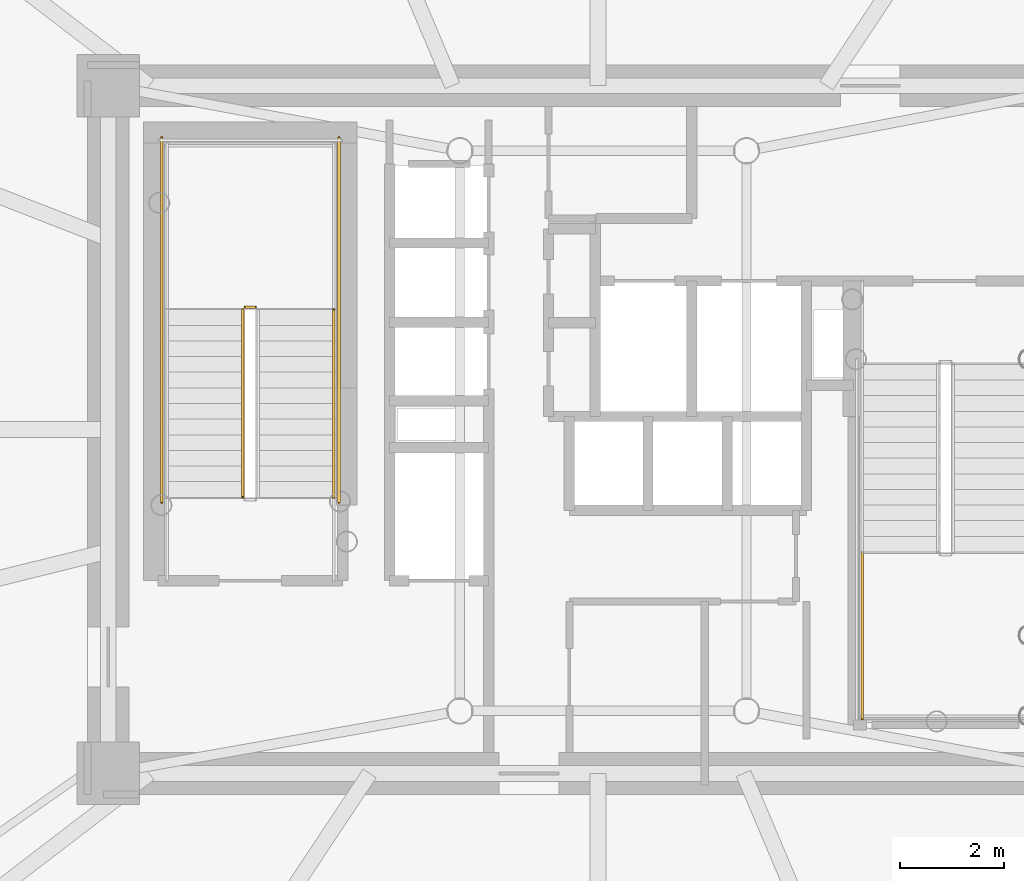
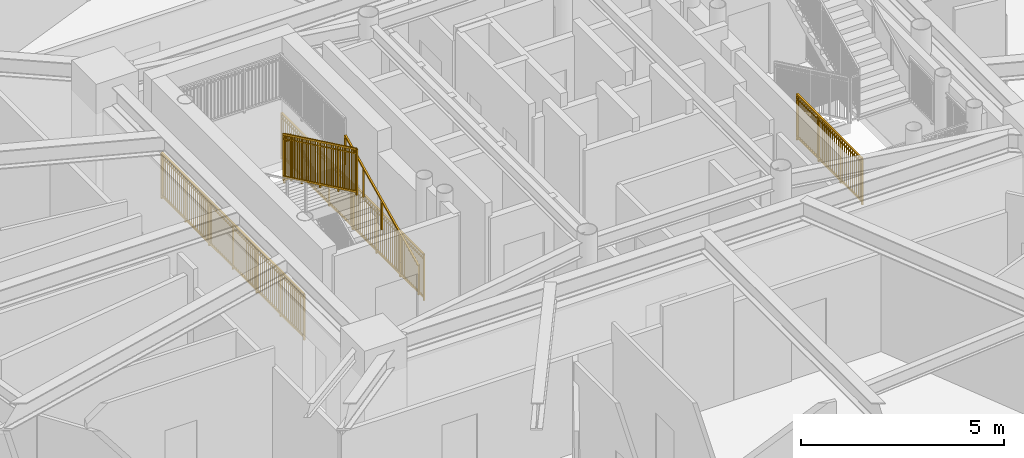
# One storey, part 15 of 20: 6 railings.
"""IFC4 building model written with IfcOpenShell, lengths in metres."""

import ifcopenshell
import ifcopenshell.guid

model = None  # the IFC model being written
_history = None  # IfcOwnerHistory: only IFC2X3 demands one
_inside = {}  # id of a spatial element -> (the spatial element, [elements in it])
_under = {}  # id of a project, library or spatial element -> (it, [spatial elements below it])
_declared = {}  # id of a project -> (the project, [libraries it declares])
_typed = {}  # id of a type object -> (the type object, [elements of that type])
_made_of = {}  # id of a material, layer set ... -> (it, [elements and type objects made of it])


def new_model(schema):
    """Start an empty IFC model of exactly this schema.

    Asked for "IFC4X3", IfcOpenShell would pick the latest addendum, in which some entities
    have other attributes; the version numbers below select the first issue.
    IFC2X3 requires an IfcOwnerHistory on every rooted entity: one is made here for all.
    """
    global model, _history
    if schema == "IFC4X3":
        model = ifcopenshell.file(schema_version=(4, 3, 0, 0))
    else:
        model = ifcopenshell.file(schema=schema)
    _inside.clear()
    _under.clear()
    _declared.clear()
    _typed.clear()
    _made_of.clear()
    _history = None
    if model.schema == "IFC2X3":
        org = make("IfcOrganization", Name="unknown")
        user = make(
            "IfcPersonAndOrganization",
            ThePerson=make("IfcPerson", FamilyName="unknown"),
            TheOrganization=org,
        )
        app = make(
            "IfcApplication",
            ApplicationDeveloper=org,
            Version="unknown",
            ApplicationFullName="unknown",
            ApplicationIdentifier="unknown",
        )
        _history = make(
            "IfcOwnerHistory",
            OwningUser=user,
            OwningApplication=app,
            ChangeAction="ADDED",
            CreationDate=0,
        )
    return model


def make(cls, **values):
    """One entity of the class cls with the attributes given. An attribute that is None is left unset."""
    return model.create_entity(
        cls, **{name: value for name, value in values.items() if value is not None}
    )


def rooted(cls, **values):
    """An entity with a GlobalId (a new one), such as an element, a storey or a relation."""
    return make(cls, GlobalId=ifcopenshell.guid.new(), OwnerHistory=_history, **values)


def si_unit(unit_type, name, prefix=None):
    """IfcSIUnit, for example si_unit("LENGTHUNIT", "METRE", prefix="MILLI")."""
    return make("IfcSIUnit", UnitType=unit_type, Prefix=prefix, Name=name)


def assignment(units):
    """IfcUnitAssignment: the units of a project."""
    return None if units is None else make("IfcUnitAssignment", Units=units)


def point(xyz):
    """IfcCartesianPoint."""
    return None if xyz is None else make("IfcCartesianPoint", Coordinates=xyz)


def direction(xyz):
    """IfcDirection."""
    return None if xyz is None else make("IfcDirection", DirectionRatios=xyz)


def frame(location, z_axis=None, x_axis=None):
    """IfcAxis2Placement3D, a coordinate frame: its origin and axes. An axis left out is left unset."""
    return make(
        "IfcAxis2Placement3D",
        Location=point(location),
        Axis=direction(z_axis),
        RefDirection=direction(x_axis),
    )


def frame_2d(location, x_axis=None):
    """IfcAxis2Placement2D, a coordinate frame in the plane: its origin and x axis."""
    return make(
        "IfcAxis2Placement2D", Location=point(location), RefDirection=direction(x_axis)
    )


def origin():
    """The frame at (0, 0, 0) with its axes left unset."""
    return frame((0.0, 0.0, 0.0))


def origin_2d():
    """The frame at (0, 0) in the plane with its x axis left unset."""
    return frame_2d((0.0, 0.0))


def place(relative_to, where):
    """IfcLocalPlacement: puts the frame where relative to a parent placement (None: the world)."""
    return make(
        "IfcLocalPlacement", PlacementRelTo=relative_to, RelativePlacement=where
    )


def context(
    kind, dimensions, precision=None, world=None, true_north=None, identifier=None
):
    """IfcGeometricRepresentationContext, for example the 3D "Model" context."""
    return make(
        "IfcGeometricRepresentationContext",
        ContextIdentifier=identifier,
        ContextType=kind,
        CoordinateSpaceDimension=dimensions,
        Precision=precision,
        WorldCoordinateSystem=world,
        TrueNorth=true_north,
    )


def subcontext(parent, identifier, kind, view, scale=None):
    """IfcGeometricRepresentationSubContext, for example "Body" below "Model"."""
    return make(
        "IfcGeometricRepresentationSubContext",
        ContextIdentifier=identifier,
        ContextType=kind,
        ParentContext=parent,
        TargetScale=scale,
        TargetView=view,
    )


def project(units=None, contexts=None):
    """IfcProject with its units and contexts."""
    return rooted(
        "IfcProject",
        Name="project",
        RepresentationContexts=contexts,
        UnitsInContext=assignment(units),
    )


def spatial(cls, under=None, at=None, **own):
    """A site, building, storey or space (cls), placed at a placement, below another one or the project."""
    s = rooted(cls, ObjectPlacement=at, **own)
    if under is not None:
        _under.setdefault(under.id(), (under, []))[1].append(s)
    return s


def profile(cls, at=None, kind="AREA", **sizes):
    """A parametric profile (cls). Its sizes go by their IFC names, for example OverallWidth=200.0."""
    return make(cls, ProfileType=kind, Position=at, **sizes)


def rectangle(**sizes):
    """IfcRectangleProfileDef."""
    return profile("IfcRectangleProfileDef", **sizes)


def extrude(swept, where, along, depth):
    """IfcExtrudedAreaSolid: the profile swept, set in the frame where, extruded along a direction by depth."""
    return make(
        "IfcExtrudedAreaSolid",
        SweptArea=swept,
        Position=where,
        ExtrudedDirection=direction(along),
        Depth=depth,
    )


def shape(context_of_items, identifier, shape_type, items):
    """IfcShapeRepresentation: the items that make up one representation, for example the "Body"."""
    return make(
        "IfcShapeRepresentation",
        ContextOfItems=context_of_items,
        RepresentationIdentifier=identifier,
        RepresentationType=shape_type,
        Items=items,
    )


def source(mapping_origin, context_of_items, identifier, shape_type, items):
    """IfcRepresentationMap: a shape defined once, which mapped items show again and again."""
    return make(
        "IfcRepresentationMap",
        MappingOrigin=mapping_origin,
        MappedRepresentation=shape(context_of_items, identifier, shape_type, items),
    )


def transform(
    local_origin,
    x_axis=None,
    y_axis=None,
    z_axis=None,
    scale=None,
    scale2=None,
    scale3=None,
    uniform=True,
):
    """IfcCartesianTransformationOperator3D, or its non-uniform kind. x_axis, y_axis, z_axis: its Axis1, 2, 3."""
    if uniform:
        return make(
            "IfcCartesianTransformationOperator3D",
            Axis1=direction(x_axis),
            Axis2=direction(y_axis),
            LocalOrigin=point(local_origin),
            Scale=scale,
            Axis3=direction(z_axis),
        )
    return make(
        "IfcCartesianTransformationOperator3DnonUniform",
        Axis1=direction(x_axis),
        Axis2=direction(y_axis),
        LocalOrigin=point(local_origin),
        Scale=scale,
        Axis3=direction(z_axis),
        Scale2=scale2,
        Scale3=scale3,
    )


def mapped(mapping_source, mapping_target):
    """IfcMappedItem: shows the shape of a source again, moved by a transform."""
    return make(
        "IfcMappedItem", MappingSource=mapping_source, MappingTarget=mapping_target
    )


def material(Name=None, Category=None):
    """IfcMaterial."""
    return make("IfcMaterial", Name=Name, Category=Category)


def made_of(thing, what):
    """Note that an element or type object is made of a material, layer set ...; save() writes the relation."""
    if what is not None:
        _made_of.setdefault(what.id(), (what, []))[1].append(thing)
    return thing


def type_object(cls, material=None, **own):
    """A type object (cls), such as IfcWallType, which elements share."""
    return made_of(rooted(cls, **own), material)


def element(
    cls,
    number,
    at=None,
    inside=None,
    cuts=None,
    type_object=None,
    material=None,
    context=None,
    identifier="Body",
    shape_type=None,
    held_by="IfcProductDefinitionShape",
    body=None,
    shapes=None,
    **own,
):
    """One element of the class cls, such as IfcWall. Its Tag is "e" and its number.

    at: its placement. inside: the storey or other place that contains it. cuts: it is an
    opening in that element (IfcRelVoidsElement). A single representation is given by context,
    identifier, shape_type and body (its items); several are given by shapes. held_by: the class
    of the entity that holds the representations. save() writes the other relations.
    """
    e = rooted(cls, Tag="e%d" % number, ObjectPlacement=at, **own)
    if body is not None:
        shapes = [shape(context, identifier, shape_type, body)]
    if shapes is not None:
        e.Representation = make(held_by, Representations=shapes)
    if inside is not None:
        _inside.setdefault(inside.id(), (inside, []))[1].append(e)
    if cuts is not None:
        rooted(
            "IfcRelVoidsElement", RelatingBuildingElement=cuts, RelatedOpeningElement=e
        )
    if type_object is not None:
        _typed.setdefault(type_object.id(), (type_object, []))[1].append(e)
    return made_of(e, material)


def aggregate(whole, parts):
    """IfcRelAggregates: a whole, such as a stair, and the parts it consists of."""
    return rooted("IfcRelAggregates", RelatingObject=whole, RelatedObjects=parts)


def save(model, path):
    """Write the relations noted so far, then the file.

    IfcRelAggregates (storeys below a building ...), IfcRelContainedInSpatialStructure (elements
    in a storey), IfcRelDefinesByType, IfcRelAssociatesMaterial and IfcRelDeclares: one each for
    every whole, place, type object, material and project.
    """
    for whole, parts in _under.values():
        aggregate(whole, parts)
    for where, things in _inside.values():
        rooted(
            "IfcRelContainedInSpatialStructure",
            RelatedElements=things,
            RelatingStructure=where,
        )
    for kind, things in _typed.values():
        rooted("IfcRelDefinesByType", RelatedObjects=things, RelatingType=kind)
    for what, things in _made_of.values():
        rooted("IfcRelAssociatesMaterial", RelatedObjects=things, RelatingMaterial=what)
    for by, libraries in _declared.values():
        rooted("IfcRelDeclares", RelatingContext=by, RelatedDefinitions=libraries)
    model.write(path)


model = new_model("IFC4")

# Units and contexts
model_context = context("Model", 3, precision=1e-05, world=origin(), true_north=direction((0.0, 1.0)))
body_context = subcontext(model_context, "Body", "Model", "MODEL_VIEW")
ifc_project = project(units=[si_unit("LENGTHUNIT", "METRE"), si_unit("AREAUNIT", "SQUARE_METRE"), si_unit("VOLUMEUNIT", "CUBIC_METRE"), si_unit("PLANEANGLEUNIT", "RADIAN"), si_unit("MASSUNIT", "GRAM", prefix="KILO")], contexts=[model_context])

# Site, building, storey
site_placement = place(None, origin())
site = spatial("IfcSite", under=ifc_project, at=site_placement, CompositionType="ELEMENT")
building_placement = place(site_placement, origin())
building = spatial("IfcBuilding", under=site, at=building_placement, Name="Linh Dai School and Residence Tower", CompositionType="ELEMENT")
storey_placement = place(building_placement, frame((0.0, 0.0, 163.64990234375)))
storey = spatial("IfcBuildingStorey", under=building, at=storey_placement, Name="L39", CompositionType="ELEMENT", Elevation=163.64990234375)

# Railings
ifc_material_1 = material(Name="Structural Steel S355JR", Category="steel")
railing_type_1 = type_object("IfcRailingType", Name="RL-ST-GUARD-1400", PredefinedType="GUARDRAIL", material=ifc_material_1)
shared_shape_1 = source(origin(), body_context, "Body", "SweptSolid", [
    extrude(rectangle(XDim=0.048095703125, YDim=0.048095703125, at=origin_2d()), frame((0.0, 0.0, 1.3759765625), z_axis=(-1.0, 0.0, 0.0), x_axis=(0.0, -1.0, 0.0)), (0.0, 0.0, 1.0), 0.199951171875),
    extrude(rectangle(XDim=0.048095703125, YDim=0.048095703125, at=origin_2d()), frame((0.0, 0.0, 0.10009765625), z_axis=(-1.0, 0.0, 0.0), x_axis=(0.0, -1.0, 0.0)), (0.0, 0.0, 1.0), 0.199951171875),
    extrude(rectangle(XDim=0.030029296875, YDim=0.030029296875, at=origin_2d()), frame((0.0, 0.0, 1.239990234375), z_axis=(-1.0, 0.0, 0.0), x_axis=(0.0, -1.0, 0.0)), (0.0, 0.0, 1.0), 0.199951171875),
    extrude(rectangle(XDim=0.0419921875, YDim=0.0419921875, at=origin_2d()), origin(), (0.0, 0.0, 1.0), 1.3759765625),
    extrude(rectangle(XDim=0.0419921875, YDim=0.0419921875, at=origin_2d()), frame((-0.199951171875, 0.0, 0.0)), (0.0, 0.0, 1.0), 1.3759765625),
])
railing_1_placement = place(storey_placement, frame((29.429931640625, 29.35009765625, 1.875)))
element("IfcRailing", 1, at=railing_1_placement, inside=storey, type_object=railing_type_1, Name="L39 ST1 stair guard 2", PredefinedType="GUARDRAIL", context=body_context, shape_type="MappedRepresentation", body=[
    mapped(shared_shape_1, transform((0.0, 0.0, 0.0), x_axis=(1.0, 0.0, 0.0), y_axis=(0.0, 1.0, 0.0), z_axis=(0.0, 0.0, 1.0), scale=1.0)),
])
shared_shape_2 = source(origin(), body_context, "Body", "SweptSolid", [
    extrude(rectangle(XDim=0.048095703125, YDim=0.048095703125, at=origin_2d()), frame((0.0, 0.0, 1.3759765625), z_axis=(0.0, 1.0, 0.0), x_axis=(-1.0, 0.0, 0.0)), (0.0, 0.0, 1.0), 7.0),
    extrude(rectangle(XDim=0.048095703125, YDim=0.048095703125, at=origin_2d()), frame((0.0, 0.0, 0.10009765625), z_axis=(0.0, 1.0, 0.0), x_axis=(-1.0, 0.0, 0.0)), (0.0, 0.0, 1.0), 7.0),
    extrude(rectangle(XDim=0.030029296875, YDim=0.030029296875, at=origin_2d()), frame((0.0, 0.0, 1.239990234375), z_axis=(0.0, 1.0, 0.0), x_axis=(-1.0, 0.0, 0.0)), (0.0, 0.0, 1.0), 7.0),
    extrude(rectangle(XDim=0.02001953125, YDim=0.02001953125, at=origin_2d()), frame((0.0, 0.09716796875, 0.10009765625)), (0.0, 0.0, 1.0), 1.251708984375),
    extrude(rectangle(XDim=0.02001953125, YDim=0.02001953125, at=origin_2d()), frame((0.0, 0.1943359375, 0.10009765625)), (0.0, 0.0, 1.0), 1.251708984375),
    extrude(rectangle(XDim=0.02001953125, YDim=0.02001953125, at=origin_2d()), frame((0.0, 0.291748046875, 0.10009765625)), (0.0, 0.0, 1.0), 1.251708984375),
    extrude(rectangle(XDim=0.02001953125, YDim=0.02001953125, at=origin_2d()), frame((0.0, 0.388916015625, 0.10009765625)), (0.0, 0.0, 1.0), 1.251708984375),
    extrude(rectangle(XDim=0.02001953125, YDim=0.02001953125, at=origin_2d()), frame((0.0, 0.486083984375, 0.10009765625)), (0.0, 0.0, 1.0), 1.251708984375),
    extrude(rectangle(XDim=0.02001953125, YDim=0.02001953125, at=origin_2d()), frame((0.0, 0.583251953125, 0.10009765625)), (0.0, 0.0, 1.0), 1.251708984375),
    extrude(rectangle(XDim=0.02001953125, YDim=0.02001953125, at=origin_2d()), frame((0.0, 0.6806640625, 0.10009765625)), (0.0, 0.0, 1.0), 1.251708984375),
    extrude(rectangle(XDim=0.02001953125, YDim=0.02001953125, at=origin_2d()), frame((0.0, 0.77783203125, 0.10009765625)), (0.0, 0.0, 1.0), 1.251708984375),
    extrude(rectangle(XDim=0.02001953125, YDim=0.02001953125, at=origin_2d()), frame((0.0, 0.875, 0.10009765625)), (0.0, 0.0, 1.0), 1.251708984375),
    extrude(rectangle(XDim=0.02001953125, YDim=0.02001953125, at=origin_2d()), frame((0.0, 0.97216796875, 0.10009765625)), (0.0, 0.0, 1.0), 1.251708984375),
    extrude(rectangle(XDim=0.02001953125, YDim=0.02001953125, at=origin_2d()), frame((0.0, 1.0693359375, 0.10009765625)), (0.0, 0.0, 1.0), 1.251708984375),
    extrude(rectangle(XDim=0.02001953125, YDim=0.02001953125, at=origin_2d()), frame((0.0, 1.263916015625, 0.10009765625)), (0.0, 0.0, 1.0), 1.251708984375),
    extrude(rectangle(XDim=0.02001953125, YDim=0.02001953125, at=origin_2d()), frame((0.0, 1.361083984375, 0.10009765625)), (0.0, 0.0, 1.0), 1.251708984375),
    extrude(rectangle(XDim=0.02001953125, YDim=0.02001953125, at=origin_2d()), frame((0.0, 1.458251953125, 0.10009765625)), (0.0, 0.0, 1.0), 1.251708984375),
    extrude(rectangle(XDim=0.02001953125, YDim=0.02001953125, at=origin_2d()), frame((0.0, 1.5556640625, 0.10009765625)), (0.0, 0.0, 1.0), 1.251708984375),
    extrude(rectangle(XDim=0.02001953125, YDim=0.02001953125, at=origin_2d()), frame((0.0, 1.65283203125, 0.10009765625)), (0.0, 0.0, 1.0), 1.251708984375),
    extrude(rectangle(XDim=0.02001953125, YDim=0.02001953125, at=origin_2d()), frame((0.0, 1.75, 0.10009765625)), (0.0, 0.0, 1.0), 1.251708984375),
    extrude(rectangle(XDim=0.02001953125, YDim=0.02001953125, at=origin_2d()), frame((0.0, 1.84716796875, 0.10009765625)), (0.0, 0.0, 1.0), 1.251708984375),
    extrude(rectangle(XDim=0.02001953125, YDim=0.02001953125, at=origin_2d()), frame((0.0, 1.9443359375, 0.10009765625)), (0.0, 0.0, 1.0), 1.251708984375),
    extrude(rectangle(XDim=0.02001953125, YDim=0.02001953125, at=origin_2d()), frame((0.0, 2.041748046875, 0.10009765625)), (0.0, 0.0, 1.0), 1.251708984375),
    extrude(rectangle(XDim=0.02001953125, YDim=0.02001953125, at=origin_2d()), frame((0.0, 2.138916015625, 0.10009765625)), (0.0, 0.0, 1.0), 1.251708984375),
    extrude(rectangle(XDim=0.02001953125, YDim=0.02001953125, at=origin_2d()), frame((0.0, 2.236083984375, 0.10009765625)), (0.0, 0.0, 1.0), 1.251708984375),
    extrude(rectangle(XDim=0.02001953125, YDim=0.02001953125, at=origin_2d()), frame((0.0, 2.4306640625, 0.10009765625)), (0.0, 0.0, 1.0), 1.251708984375),
    extrude(rectangle(XDim=0.02001953125, YDim=0.02001953125, at=origin_2d()), frame((0.0, 2.52783203125, 0.10009765625)), (0.0, 0.0, 1.0), 1.251708984375),
    extrude(rectangle(XDim=0.02001953125, YDim=0.02001953125, at=origin_2d()), frame((0.0, 2.625, 0.10009765625)), (0.0, 0.0, 1.0), 1.251708984375),
    extrude(rectangle(XDim=0.02001953125, YDim=0.02001953125, at=origin_2d()), frame((0.0, 2.72216796875, 0.10009765625)), (0.0, 0.0, 1.0), 1.251708984375),
    extrude(rectangle(XDim=0.02001953125, YDim=0.02001953125, at=origin_2d()), frame((0.0, 2.8193359375, 0.10009765625)), (0.0, 0.0, 1.0), 1.251708984375),
    extrude(rectangle(XDim=0.02001953125, YDim=0.02001953125, at=origin_2d()), frame((0.0, 2.916748046875, 0.10009765625)), (0.0, 0.0, 1.0), 1.251708984375),
    extrude(rectangle(XDim=0.02001953125, YDim=0.02001953125, at=origin_2d()), frame((0.0, 3.013916015625, 0.10009765625)), (0.0, 0.0, 1.0), 1.251708984375),
    extrude(rectangle(XDim=0.02001953125, YDim=0.02001953125, at=origin_2d()), frame((0.0, 3.111083984375, 0.10009765625)), (0.0, 0.0, 1.0), 1.251708984375),
    extrude(rectangle(XDim=0.02001953125, YDim=0.02001953125, at=origin_2d()), frame((0.0, 3.208251953125, 0.10009765625)), (0.0, 0.0, 1.0), 1.251708984375),
    extrude(rectangle(XDim=0.02001953125, YDim=0.02001953125, at=origin_2d()), frame((0.0, 3.3056640625, 0.10009765625)), (0.0, 0.0, 1.0), 1.251708984375),
    extrude(rectangle(XDim=0.02001953125, YDim=0.02001953125, at=origin_2d()), frame((0.0, 3.40283203125, 0.10009765625)), (0.0, 0.0, 1.0), 1.251708984375),
    extrude(rectangle(XDim=0.02001953125, YDim=0.02001953125, at=origin_2d()), frame((0.0, 3.59716796875, 0.10009765625)), (0.0, 0.0, 1.0), 1.251708984375),
    extrude(rectangle(XDim=0.02001953125, YDim=0.02001953125, at=origin_2d()), frame((0.0, 3.6943359375, 0.10009765625)), (0.0, 0.0, 1.0), 1.251708984375),
    extrude(rectangle(XDim=0.02001953125, YDim=0.02001953125, at=origin_2d()), frame((0.0, 3.791748046875, 0.10009765625)), (0.0, 0.0, 1.0), 1.251708984375),
    extrude(rectangle(XDim=0.02001953125, YDim=0.02001953125, at=origin_2d()), frame((0.0, 3.888916015625, 0.10009765625)), (0.0, 0.0, 1.0), 1.251708984375),
    extrude(rectangle(XDim=0.02001953125, YDim=0.02001953125, at=origin_2d()), frame((0.0, 3.986083984375, 0.10009765625)), (0.0, 0.0, 1.0), 1.251708984375),
    extrude(rectangle(XDim=0.02001953125, YDim=0.02001953125, at=origin_2d()), frame((0.0, 4.083251953125, 0.10009765625)), (0.0, 0.0, 1.0), 1.251708984375),
    extrude(rectangle(XDim=0.02001953125, YDim=0.02001953125, at=origin_2d()), frame((0.0, 4.1806640625, 0.10009765625)), (0.0, 0.0, 1.0), 1.251708984375),
    extrude(rectangle(XDim=0.02001953125, YDim=0.02001953125, at=origin_2d()), frame((0.0, 4.27783203125, 0.10009765625)), (0.0, 0.0, 1.0), 1.251708984375),
    extrude(rectangle(XDim=0.02001953125, YDim=0.02001953125, at=origin_2d()), frame((0.0, 4.375, 0.10009765625)), (0.0, 0.0, 1.0), 1.251708984375),
    extrude(rectangle(XDim=0.02001953125, YDim=0.02001953125, at=origin_2d()), frame((0.0, 4.47216796875, 0.10009765625)), (0.0, 0.0, 1.0), 1.251708984375),
    extrude(rectangle(XDim=0.02001953125, YDim=0.02001953125, at=origin_2d()), frame((0.0, 4.5693359375, 0.10009765625)), (0.0, 0.0, 1.0), 1.251708984375),
    extrude(rectangle(XDim=0.02001953125, YDim=0.02001953125, at=origin_2d()), frame((0.0, 4.763916015625, 0.10009765625)), (0.0, 0.0, 1.0), 1.251708984375),
    extrude(rectangle(XDim=0.02001953125, YDim=0.02001953125, at=origin_2d()), frame((0.0, 4.861083984375, 0.10009765625)), (0.0, 0.0, 1.0), 1.251708984375),
    extrude(rectangle(XDim=0.02001953125, YDim=0.02001953125, at=origin_2d()), frame((0.0, 4.958251953125, 0.10009765625)), (0.0, 0.0, 1.0), 1.251708984375),
    extrude(rectangle(XDim=0.02001953125, YDim=0.02001953125, at=origin_2d()), frame((0.0, 5.0556640625, 0.10009765625)), (0.0, 0.0, 1.0), 1.251708984375),
    extrude(rectangle(XDim=0.02001953125, YDim=0.02001953125, at=origin_2d()), frame((0.0, 5.15283203125, 0.10009765625)), (0.0, 0.0, 1.0), 1.251708984375),
    extrude(rectangle(XDim=0.02001953125, YDim=0.02001953125, at=origin_2d()), frame((0.0, 5.25, 0.10009765625)), (0.0, 0.0, 1.0), 1.251708984375),
    extrude(rectangle(XDim=0.02001953125, YDim=0.02001953125, at=origin_2d()), frame((0.0, 5.34716796875, 0.10009765625)), (0.0, 0.0, 1.0), 1.251708984375),
    extrude(rectangle(XDim=0.02001953125, YDim=0.02001953125, at=origin_2d()), frame((0.0, 5.4443359375, 0.10009765625)), (0.0, 0.0, 1.0), 1.251708984375),
    extrude(rectangle(XDim=0.02001953125, YDim=0.02001953125, at=origin_2d()), frame((0.0, 5.541748046875, 0.10009765625)), (0.0, 0.0, 1.0), 1.251708984375),
    extrude(rectangle(XDim=0.02001953125, YDim=0.02001953125, at=origin_2d()), frame((0.0, 5.638916015625, 0.10009765625)), (0.0, 0.0, 1.0), 1.251708984375),
    extrude(rectangle(XDim=0.02001953125, YDim=0.02001953125, at=origin_2d()), frame((0.0, 5.736083984375, 0.10009765625)), (0.0, 0.0, 1.0), 1.251708984375),
    extrude(rectangle(XDim=0.02001953125, YDim=0.02001953125, at=origin_2d()), frame((0.0, 5.9306640625, 0.10009765625)), (0.0, 0.0, 1.0), 1.251708984375),
    extrude(rectangle(XDim=0.02001953125, YDim=0.02001953125, at=origin_2d()), frame((0.0, 6.02783203125, 0.10009765625)), (0.0, 0.0, 1.0), 1.251708984375),
    extrude(rectangle(XDim=0.02001953125, YDim=0.02001953125, at=origin_2d()), frame((0.0, 6.125, 0.10009765625)), (0.0, 0.0, 1.0), 1.251708984375),
    extrude(rectangle(XDim=0.02001953125, YDim=0.02001953125, at=origin_2d()), frame((0.0, 6.22216796875, 0.10009765625)), (0.0, 0.0, 1.0), 1.251708984375),
    extrude(rectangle(XDim=0.02001953125, YDim=0.02001953125, at=origin_2d()), frame((0.0, 6.3193359375, 0.10009765625)), (0.0, 0.0, 1.0), 1.251708984375),
    extrude(rectangle(XDim=0.02001953125, YDim=0.02001953125, at=origin_2d()), frame((0.0, 6.416748046875, 0.10009765625)), (0.0, 0.0, 1.0), 1.251708984375),
    extrude(rectangle(XDim=0.02001953125, YDim=0.02001953125, at=origin_2d()), frame((0.0, 6.513916015625, 0.10009765625)), (0.0, 0.0, 1.0), 1.251708984375),
    extrude(rectangle(XDim=0.02001953125, YDim=0.02001953125, at=origin_2d()), frame((0.0, 6.611083984375, 0.10009765625)), (0.0, 0.0, 1.0), 1.251708984375),
    extrude(rectangle(XDim=0.02001953125, YDim=0.02001953125, at=origin_2d()), frame((0.0, 6.708251953125, 0.10009765625)), (0.0, 0.0, 1.0), 1.251708984375),
    extrude(rectangle(XDim=0.02001953125, YDim=0.02001953125, at=origin_2d()), frame((0.0, 6.8056640625, 0.10009765625)), (0.0, 0.0, 1.0), 1.251708984375),
    extrude(rectangle(XDim=0.02001953125, YDim=0.02001953125, at=origin_2d()), frame((0.0, 6.90283203125, 0.10009765625)), (0.0, 0.0, 1.0), 1.251708984375),
    extrude(rectangle(XDim=0.0419921875, YDim=0.0419921875, at=origin_2d()), origin(), (0.0, 0.0, 1.0), 1.3759765625),
    extrude(rectangle(XDim=0.0419921875, YDim=0.0419921875, at=origin_2d()), frame((0.0, 1.166748046875, 0.0)), (0.0, 0.0, 1.0), 1.3759765625),
    extrude(rectangle(XDim=0.0419921875, YDim=0.0419921875, at=origin_2d()), frame((0.0, 2.333251953125, 0.0)), (0.0, 0.0, 1.0), 1.3759765625),
    extrude(rectangle(XDim=0.0419921875, YDim=0.0419921875, at=origin_2d()), frame((0.0, 3.5, 0.0)), (0.0, 0.0, 1.0), 1.3759765625),
    extrude(rectangle(XDim=0.0419921875, YDim=0.0419921875, at=origin_2d()), frame((0.0, 4.666748046875, 0.0)), (0.0, 0.0, 1.0), 1.3759765625),
    extrude(rectangle(XDim=0.0419921875, YDim=0.0419921875, at=origin_2d()), frame((0.0, 5.833251953125, 0.0)), (0.0, 0.0, 1.0), 1.3759765625),
    extrude(rectangle(XDim=0.0419921875, YDim=0.0419921875, at=origin_2d()), frame((0.0, 7.0, 0.0)), (0.0, 0.0, 1.0), 1.3759765625),
])
for number, where, name in (
    (2, (31.030029296875, 25.60009765625, 0.0), "L39 ST1 stair guard 10"),
    (3, (27.6298828125, 25.60009765625, 0.0), "L39 ST1 stair guard 11"),
):
    element("IfcRailing", number, at=place(storey_placement, frame(where)), inside=storey, type_object=railing_type_1, Name=name, PredefinedType="GUARDRAIL", context=body_context, shape_type="MappedRepresentation", body=[
        mapped(shared_shape_2, transform((0.0, 0.0, 0.0), x_axis=(1.0, 0.0, 0.0), y_axis=(0.0, 1.0, 0.0), z_axis=(0.0, 0.0, 1.0), scale=1.0)),
    ])
shared_shape_3 = source(origin(), body_context, "Body", "SweptSolid", [
    extrude(rectangle(XDim=0.048095703125, YDim=0.048095703125, at=origin_2d()), frame((0.0, 0.0, 1.3759765625), z_axis=(0.0, -0.901262522062, 0.433273431364), x_axis=(1.0, 0.0, 0.0)), (0.0, 0.0, 1.0), 3.994384765625),
    extrude(rectangle(XDim=0.048095703125, YDim=0.048095703125, at=origin_2d()), frame((0.0, 0.0, 0.10009765625), z_axis=(0.0, -0.901262522062, 0.433273431364), x_axis=(1.0, 0.0, 0.0)), (0.0, 0.0, 1.0), 3.994384765625),
    extrude(rectangle(XDim=0.030029296875, YDim=0.030029296875, at=origin_2d()), frame((0.0, 0.0, 1.239990234375), z_axis=(0.0, -0.901262522062, 0.433273431364), x_axis=(1.0, 0.0, 0.0)), (0.0, 0.0, 1.0), 3.994384765625),
    extrude(rectangle(XDim=0.02001953125, YDim=0.02001953125, at=origin_2d()), frame((0.0, -0.087890625, 0.142333984375)), (0.0, 0.0, 1.0), 1.251708984375),
    extrude(rectangle(XDim=0.02001953125, YDim=0.02001953125, at=origin_2d()), frame((0.0, -0.175537109375, 0.1845703125)), (0.0, 0.0, 1.0), 1.251708984375),
    extrude(rectangle(XDim=0.02001953125, YDim=0.02001953125, at=origin_2d()), frame((0.0, -0.263427734375, 0.226806640625)), (0.0, 0.0, 1.0), 1.251708984375),
    extrude(rectangle(XDim=0.02001953125, YDim=0.02001953125, at=origin_2d()), frame((0.0, -0.351318359375, 0.26904296875)), (0.0, 0.0, 1.0), 1.251708984375),
    extrude(rectangle(XDim=0.02001953125, YDim=0.02001953125, at=origin_2d()), frame((0.0, -0.43896484375, 0.311279296875)), (0.0, 0.0, 1.0), 1.251708984375),
    extrude(rectangle(XDim=0.02001953125, YDim=0.02001953125, at=origin_2d()), frame((0.0, -0.52685546875, 0.353271484375)), (0.0, 0.0, 1.0), 1.251708984375),
    extrude(rectangle(XDim=0.02001953125, YDim=0.02001953125, at=origin_2d()), frame((0.0, -0.61474609375, 0.3955078125)), (0.0, 0.0, 1.0), 1.251708984375),
    extrude(rectangle(XDim=0.02001953125, YDim=0.02001953125, at=origin_2d()), frame((0.0, -0.702392578125, 0.437744140625)), (0.0, 0.0, 1.0), 1.251708984375),
    extrude(rectangle(XDim=0.02001953125, YDim=0.02001953125, at=origin_2d()), frame((0.0, -0.790283203125, 0.47998046875)), (0.0, 0.0, 1.0), 1.251708984375),
    extrude(rectangle(XDim=0.02001953125, YDim=0.02001953125, at=origin_2d()), frame((0.0, -0.9658203125, 0.564453125)), (0.0, 0.0, 1.0), 1.251708984375),
    extrude(rectangle(XDim=0.02001953125, YDim=0.02001953125, at=origin_2d()), frame((0.0, -1.0537109375, 0.606689453125)), (0.0, 0.0, 1.0), 1.251708984375),
    extrude(rectangle(XDim=0.02001953125, YDim=0.02001953125, at=origin_2d()), frame((0.0, -1.1416015625, 0.64892578125)), (0.0, 0.0, 1.0), 1.251708984375),
    extrude(rectangle(XDim=0.02001953125, YDim=0.02001953125, at=origin_2d()), frame((0.0, -1.229248046875, 0.691162109375)), (0.0, 0.0, 1.0), 1.251708984375),
    extrude(rectangle(XDim=0.02001953125, YDim=0.02001953125, at=origin_2d()), frame((0.0, -1.317138671875, 0.7333984375)), (0.0, 0.0, 1.0), 1.251708984375),
    extrude(rectangle(XDim=0.02001953125, YDim=0.02001953125, at=origin_2d()), frame((0.0, -1.405029296875, 0.775390625)), (0.0, 0.0, 1.0), 1.251708984375),
    extrude(rectangle(XDim=0.02001953125, YDim=0.02001953125, at=origin_2d()), frame((0.0, -1.49267578125, 0.817626953125)), (0.0, 0.0, 1.0), 1.251708984375),
    extrude(rectangle(XDim=0.02001953125, YDim=0.02001953125, at=origin_2d()), frame((0.0, -1.58056640625, 0.85986328125)), (0.0, 0.0, 1.0), 1.251708984375),
    extrude(rectangle(XDim=0.02001953125, YDim=0.02001953125, at=origin_2d()), frame((0.0, -1.66845703125, 0.902099609375)), (0.0, 0.0, 1.0), 1.251708984375),
    extrude(rectangle(XDim=0.02001953125, YDim=0.02001953125, at=origin_2d()), frame((0.0, -1.756103515625, 0.9443359375)), (0.0, 0.0, 1.0), 1.251708984375),
    extrude(rectangle(XDim=0.02001953125, YDim=0.02001953125, at=origin_2d()), frame((0.0, -1.843994140625, 0.986572265625)), (0.0, 0.0, 1.0), 1.251708984375),
    extrude(rectangle(XDim=0.02001953125, YDim=0.02001953125, at=origin_2d()), frame((0.0, -1.931640625, 1.02880859375)), (0.0, 0.0, 1.0), 1.251708984375),
    extrude(rectangle(XDim=0.02001953125, YDim=0.02001953125, at=origin_2d()), frame((0.0, -2.01953125, 1.071044921875)), (0.0, 0.0, 1.0), 1.251708984375),
    extrude(rectangle(XDim=0.02001953125, YDim=0.02001953125, at=origin_2d()), frame((0.0, -2.107421875, 1.11328125)), (0.0, 0.0, 1.0), 1.251708984375),
    extrude(rectangle(XDim=0.02001953125, YDim=0.02001953125, at=origin_2d()), frame((0.0, -2.195068359375, 1.155517578125)), (0.0, 0.0, 1.0), 1.251708984375),
    extrude(rectangle(XDim=0.02001953125, YDim=0.02001953125, at=origin_2d()), frame((0.0, -2.282958984375, 1.197509765625)), (0.0, 0.0, 1.0), 1.251708984375),
    extrude(rectangle(XDim=0.02001953125, YDim=0.02001953125, at=origin_2d()), frame((0.0, -2.370849609375, 1.23974609375)), (0.0, 0.0, 1.0), 1.251708984375),
    extrude(rectangle(XDim=0.02001953125, YDim=0.02001953125, at=origin_2d()), frame((0.0, -2.45849609375, 1.281982421875)), (0.0, 0.0, 1.0), 1.251708984375),
    extrude(rectangle(XDim=0.02001953125, YDim=0.02001953125, at=origin_2d()), frame((0.0, -2.54638671875, 1.32421875)), (0.0, 0.0, 1.0), 1.251708984375),
    extrude(rectangle(XDim=0.02001953125, YDim=0.02001953125, at=origin_2d()), frame((0.0, -2.63427734375, 1.366455078125)), (0.0, 0.0, 1.0), 1.251708984375),
    extrude(rectangle(XDim=0.02001953125, YDim=0.02001953125, at=origin_2d()), frame((0.0, -2.809814453125, 1.450927734375)), (0.0, 0.0, 1.0), 1.251708984375),
    extrude(rectangle(XDim=0.02001953125, YDim=0.02001953125, at=origin_2d()), frame((0.0, -2.897705078125, 1.4931640625)), (0.0, 0.0, 1.0), 1.251708984375),
    extrude(rectangle(XDim=0.02001953125, YDim=0.02001953125, at=origin_2d()), frame((0.0, -2.9853515625, 1.535400390625)), (0.0, 0.0, 1.0), 1.251708984375),
    extrude(rectangle(XDim=0.02001953125, YDim=0.02001953125, at=origin_2d()), frame((0.0, -3.0732421875, 1.57763671875)), (0.0, 0.0, 1.0), 1.251708984375),
    extrude(rectangle(XDim=0.02001953125, YDim=0.02001953125, at=origin_2d()), frame((0.0, -3.1611328125, 1.61962890625)), (0.0, 0.0, 1.0), 1.251708984375),
    extrude(rectangle(XDim=0.02001953125, YDim=0.02001953125, at=origin_2d()), frame((0.0, -3.248779296875, 1.661865234375)), (0.0, 0.0, 1.0), 1.251708984375),
    extrude(rectangle(XDim=0.02001953125, YDim=0.02001953125, at=origin_2d()), frame((0.0, -3.336669921875, 1.7041015625)), (0.0, 0.0, 1.0), 1.251708984375),
    extrude(rectangle(XDim=0.02001953125, YDim=0.02001953125, at=origin_2d()), frame((0.0, -3.424560546875, 1.746337890625)), (0.0, 0.0, 1.0), 1.251708984375),
    extrude(rectangle(XDim=0.02001953125, YDim=0.02001953125, at=origin_2d()), frame((0.0, -3.51220703125, 1.78857421875)), (0.0, 0.0, 1.0), 1.251708984375),
    extrude(rectangle(XDim=0.0419921875, YDim=0.0419921875, at=origin_2d()), origin(), (0.0, 0.0, 1.0), 1.3759765625),
    extrude(rectangle(XDim=0.0419921875, YDim=0.0419921875, at=origin_2d()), frame((0.0, -0.89990234375, 0.4326171875)), (0.0, 0.0, 1.0), 1.3759765625),
    extrude(rectangle(XDim=0.0419921875, YDim=0.0419921875, at=origin_2d()), frame((0.0, -1.800048828125, 0.865234375)), (0.0, 0.0, 1.0), 1.3759765625),
    extrude(rectangle(XDim=0.0419921875, YDim=0.0419921875, at=origin_2d()), frame((0.0, -2.7001953125, 1.298095703125)), (0.0, 0.0, 1.0), 1.3759765625),
    extrude(rectangle(XDim=0.0419921875, YDim=0.0419921875, at=origin_2d()), frame((0.0, -3.60009765625, 1.730712890625)), (0.0, 0.0, 1.0), 1.3759765625),
])
railing_2_placement = place(storey_placement, frame((29.179931640625, 29.300048828125, 2.019287109375)))
element("IfcRailing", 4, at=railing_2_placement, inside=storey, type_object=railing_type_1, Name="L39 ST1 stair guard 6", PredefinedType="GUARDRAIL", context=body_context, shape_type="MappedRepresentation", body=[
    mapped(shared_shape_3, transform((0.0, 0.0, 0.0), x_axis=(1.0, 0.0, 0.0), y_axis=(0.0, 1.0, 0.0), z_axis=(0.0, 0.0, 1.0), scale=1.0)),
])
ifc_material_2 = material(Name="Brushed Stainless Steel Handrail", Category="steel")
railing_type_2 = type_object("IfcRailingType", Name="RL-ST-HANDRAIL-900", PredefinedType="HANDRAIL", material=ifc_material_2)
shared_shape_4 = source(origin(), body_context, "Body", "SweptSolid", [
    extrude(rectangle(XDim=0.048095703125, YDim=0.048095703125, at=origin_2d()), frame((0.0, 0.0, 0.8759765625), z_axis=(0.0, 0.901262522062, 0.433273431364), x_axis=(-1.0, 0.0, 0.0)), (0.0, 0.0, 1.0), 3.994384765625),
    extrude(rectangle(XDim=0.0419921875, YDim=0.0419921875, at=origin_2d()), origin(), (0.0, 0.0, 1.0), 0.8759765625),
    extrude(rectangle(XDim=0.0419921875, YDim=0.0419921875, at=origin_2d()), frame((0.0, 0.89990234375, 0.4326171875)), (0.0, 0.0, 1.0), 0.8759765625),
    extrude(rectangle(XDim=0.0419921875, YDim=0.0419921875, at=origin_2d()), frame((0.0, 1.800048828125, 0.865234375)), (0.0, 0.0, 1.0), 0.8759765625),
    extrude(rectangle(XDim=0.0419921875, YDim=0.0419921875, at=origin_2d()), frame((0.0, 2.7001953125, 1.298095703125)), (0.0, 0.0, 1.0), 0.8759765625),
    extrude(rectangle(XDim=0.0419921875, YDim=0.0419921875, at=origin_2d()), frame((0.0, 3.60009765625, 1.730712890625)), (0.0, 0.0, 1.0), 0.8759765625),
])
railing_3_placement = place(storey_placement, frame((30.929931640625, 25.699951171875, 0.144287109375)))
element("IfcRailing", 5, at=railing_3_placement, inside=storey, type_object=railing_type_2, Name="L39 ST1 stair handrail 1", PredefinedType="HANDRAIL", context=body_context, shape_type="MappedRepresentation", body=[
    mapped(shared_shape_4, transform((0.0, 0.0, 0.0), x_axis=(1.0, 0.0, 0.0), y_axis=(0.0, 1.0, 0.0), z_axis=(0.0, 0.0, 1.0), scale=1.0)),
])
shared_shape_5 = source(origin(), body_context, "Body", "SweptSolid", [
    extrude(rectangle(XDim=0.048095703125, YDim=0.048095703125, at=origin_2d()), frame((0.0, 0.0, 1.3759765625), z_axis=(0.0, -1.0, 0.0), x_axis=(1.0, 0.0, 0.0)), (0.0, 0.0, 1.0), 3.199951171875),
    extrude(rectangle(XDim=0.048095703125, YDim=0.048095703125, at=origin_2d()), frame((0.0, 0.0, 0.10009765625), z_axis=(0.0, -1.0, 0.0), x_axis=(1.0, 0.0, 0.0)), (0.0, 0.0, 1.0), 3.199951171875),
    extrude(rectangle(XDim=0.030029296875, YDim=0.030029296875, at=origin_2d()), frame((0.0, 0.0, 1.239990234375), z_axis=(0.0, -1.0, 0.0), x_axis=(1.0, 0.0, 0.0)), (0.0, 0.0, 1.0), 3.199951171875),
    extrude(rectangle(XDim=0.02001953125, YDim=0.02001953125, at=origin_2d()), frame((0.0, -0.096923828125, 0.10009765625)), (0.0, 0.0, 1.0), 1.251708984375),
    extrude(rectangle(XDim=0.02001953125, YDim=0.02001953125, at=origin_2d()), frame((0.0, -0.19384765625, 0.10009765625)), (0.0, 0.0, 1.0), 1.251708984375),
    extrude(rectangle(XDim=0.02001953125, YDim=0.02001953125, at=origin_2d()), frame((0.0, -0.291015625, 0.10009765625)), (0.0, 0.0, 1.0), 1.251708984375),
    extrude(rectangle(XDim=0.02001953125, YDim=0.02001953125, at=origin_2d()), frame((0.0, -0.387939453125, 0.10009765625)), (0.0, 0.0, 1.0), 1.251708984375),
    extrude(rectangle(XDim=0.02001953125, YDim=0.02001953125, at=origin_2d()), frame((0.0, -0.48486328125, 0.10009765625)), (0.0, 0.0, 1.0), 1.251708984375),
    extrude(rectangle(XDim=0.02001953125, YDim=0.02001953125, at=origin_2d()), frame((0.0, -0.581787109375, 0.10009765625)), (0.0, 0.0, 1.0), 1.251708984375),
    extrude(rectangle(XDim=0.02001953125, YDim=0.02001953125, at=origin_2d()), frame((0.0, -0.6787109375, 0.10009765625)), (0.0, 0.0, 1.0), 1.251708984375),
    extrude(rectangle(XDim=0.02001953125, YDim=0.02001953125, at=origin_2d()), frame((0.0, -0.775634765625, 0.10009765625)), (0.0, 0.0, 1.0), 1.251708984375),
    extrude(rectangle(XDim=0.02001953125, YDim=0.02001953125, at=origin_2d()), frame((0.0, -0.872802734375, 0.10009765625)), (0.0, 0.0, 1.0), 1.251708984375),
    extrude(rectangle(XDim=0.02001953125, YDim=0.02001953125, at=origin_2d()), frame((0.0, -0.9697265625, 0.10009765625)), (0.0, 0.0, 1.0), 1.251708984375),
    extrude(rectangle(XDim=0.02001953125, YDim=0.02001953125, at=origin_2d()), frame((0.0, -1.16357421875, 0.10009765625)), (0.0, 0.0, 1.0), 1.251708984375),
    extrude(rectangle(XDim=0.02001953125, YDim=0.02001953125, at=origin_2d()), frame((0.0, -1.260498046875, 0.10009765625)), (0.0, 0.0, 1.0), 1.251708984375),
    extrude(rectangle(XDim=0.02001953125, YDim=0.02001953125, at=origin_2d()), frame((0.0, -1.357666015625, 0.10009765625)), (0.0, 0.0, 1.0), 1.251708984375),
    extrude(rectangle(XDim=0.02001953125, YDim=0.02001953125, at=origin_2d()), frame((0.0, -1.45458984375, 0.10009765625)), (0.0, 0.0, 1.0), 1.251708984375),
    extrude(rectangle(XDim=0.02001953125, YDim=0.02001953125, at=origin_2d()), frame((0.0, -1.551513671875, 0.10009765625)), (0.0, 0.0, 1.0), 1.251708984375),
    extrude(rectangle(XDim=0.02001953125, YDim=0.02001953125, at=origin_2d()), frame((0.0, -1.6484375, 0.10009765625)), (0.0, 0.0, 1.0), 1.251708984375),
    extrude(rectangle(XDim=0.02001953125, YDim=0.02001953125, at=origin_2d()), frame((0.0, -1.745361328125, 0.10009765625)), (0.0, 0.0, 1.0), 1.251708984375),
    extrude(rectangle(XDim=0.02001953125, YDim=0.02001953125, at=origin_2d()), frame((0.0, -1.84228515625, 0.10009765625)), (0.0, 0.0, 1.0), 1.251708984375),
    extrude(rectangle(XDim=0.02001953125, YDim=0.02001953125, at=origin_2d()), frame((0.0, -1.939453125, 0.10009765625)), (0.0, 0.0, 1.0), 1.251708984375),
    extrude(rectangle(XDim=0.02001953125, YDim=0.02001953125, at=origin_2d()), frame((0.0, -2.036376953125, 0.10009765625)), (0.0, 0.0, 1.0), 1.251708984375),
    extrude(rectangle(XDim=0.02001953125, YDim=0.02001953125, at=origin_2d()), frame((0.0, -2.230224609375, 0.10009765625)), (0.0, 0.0, 1.0), 1.251708984375),
    extrude(rectangle(XDim=0.02001953125, YDim=0.02001953125, at=origin_2d()), frame((0.0, -2.3271484375, 0.10009765625)), (0.0, 0.0, 1.0), 1.251708984375),
    extrude(rectangle(XDim=0.02001953125, YDim=0.02001953125, at=origin_2d()), frame((0.0, -2.42431640625, 0.10009765625)), (0.0, 0.0, 1.0), 1.251708984375),
    extrude(rectangle(XDim=0.02001953125, YDim=0.02001953125, at=origin_2d()), frame((0.0, -2.521240234375, 0.10009765625)), (0.0, 0.0, 1.0), 1.251708984375),
    extrude(rectangle(XDim=0.02001953125, YDim=0.02001953125, at=origin_2d()), frame((0.0, -2.6181640625, 0.10009765625)), (0.0, 0.0, 1.0), 1.251708984375),
    extrude(rectangle(XDim=0.02001953125, YDim=0.02001953125, at=origin_2d()), frame((0.0, -2.715087890625, 0.10009765625)), (0.0, 0.0, 1.0), 1.251708984375),
    extrude(rectangle(XDim=0.02001953125, YDim=0.02001953125, at=origin_2d()), frame((0.0, -2.81201171875, 0.10009765625)), (0.0, 0.0, 1.0), 1.251708984375),
    extrude(rectangle(XDim=0.02001953125, YDim=0.02001953125, at=origin_2d()), frame((0.0, -2.908935546875, 0.10009765625)), (0.0, 0.0, 1.0), 1.251708984375),
    extrude(rectangle(XDim=0.02001953125, YDim=0.02001953125, at=origin_2d()), frame((0.0, -3.006103515625, 0.10009765625)), (0.0, 0.0, 1.0), 1.251708984375),
    extrude(rectangle(XDim=0.02001953125, YDim=0.02001953125, at=origin_2d()), frame((0.0, -3.10302734375, 0.10009765625)), (0.0, 0.0, 1.0), 1.251708984375),
    extrude(rectangle(XDim=0.0419921875, YDim=0.0419921875, at=origin_2d()), origin(), (0.0, 0.0, 1.0), 1.3759765625),
    extrude(rectangle(XDim=0.0419921875, YDim=0.0419921875, at=origin_2d()), frame((0.0, -1.066650390625, 0.0)), (0.0, 0.0, 1.0), 1.3759765625),
    extrude(rectangle(XDim=0.0419921875, YDim=0.0419921875, at=origin_2d()), frame((0.0, -2.13330078125, 0.0)), (0.0, 0.0, 1.0), 1.3759765625),
    extrude(rectangle(XDim=0.0419921875, YDim=0.0419921875, at=origin_2d()), frame((0.0, -3.199951171875, 0.0)), (0.0, 0.0, 1.0), 1.3759765625),
])
railing_4_placement = place(storey_placement, frame((41.070068359375, 24.64990234375, 1.875)))
element("IfcRailing", 6, at=railing_4_placement, inside=storey, type_object=railing_type_1, Name="L39 ST2 stair guard 3", PredefinedType="GUARDRAIL", context=body_context, shape_type="MappedRepresentation", body=[
    mapped(shared_shape_5, transform((0.0, 0.0, 0.0), x_axis=(1.0, 0.0, 0.0), y_axis=(0.0, 1.0, 0.0), z_axis=(0.0, 0.0, 1.0), scale=1.0)),
])

save(model, "model.ifc")
